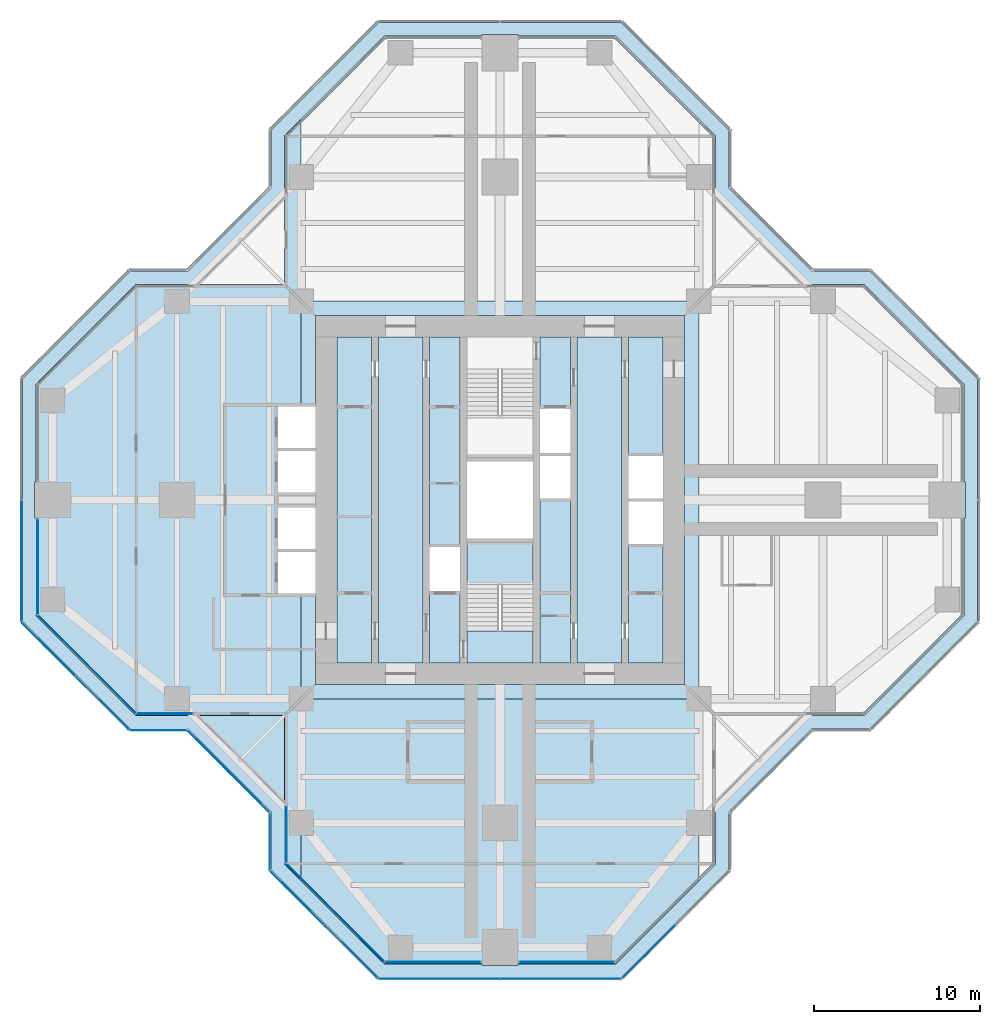
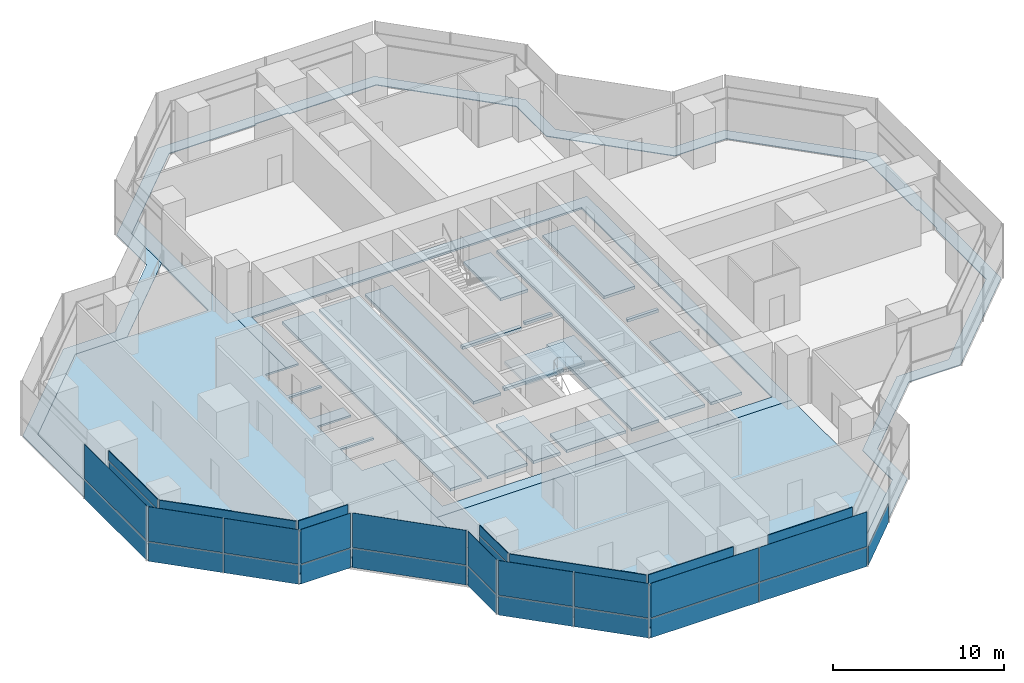
# One storey, part 10 of 17: 36 plates, 7 slabs, 16 elements without a shape of their own.
"""IFC4 building model written with IfcOpenShell, lengths in metres."""

from ifc_helpers import new_model, si_unit, direction, frame, origin, origin_2d, place, context, subcontext, project, spatial, polyline, rectangle, outline, extrude, material, layer, layer_set, type_object, element, aggregate, save


model = new_model("IFC4")

# Units and contexts
model_context = context("Model", 3, precision=1e-05, world=origin(), true_north=direction((0.0, 1.0)))
body_context = subcontext(model_context, "Body", "Model", "MODEL_VIEW")
ifc_project = project(units=[si_unit("LENGTHUNIT", "METRE"), si_unit("AREAUNIT", "SQUARE_METRE"), si_unit("VOLUMEUNIT", "CUBIC_METRE"), si_unit("PLANEANGLEUNIT", "RADIAN"), si_unit("MASSUNIT", "GRAM", prefix="KILO")], contexts=[model_context])

# Site, building, storey
site_placement = place(None, origin())
site = spatial("IfcSite", under=ifc_project, at=site_placement, CompositionType="ELEMENT")
building_placement = place(site_placement, origin())
building = spatial("IfcBuilding", under=site, at=building_placement, Name="Mizan Broadcast Tower", CompositionType="ELEMENT")
storey_placement = place(building_placement, frame((0.0, 0.0, 216.60009765625)))
storey = spatial("IfcBuildingStorey", under=building, at=storey_placement, Name="L50", CompositionType="ELEMENT", Elevation=216.60009765625)

# Plate
ifc_material_1 = material(Name="Aluminium grating", Category="aluminium")
ifc_layer_1 = layer(ifc_material_1, 0.050048828125)
ifc_layer_set_1 = layer_set([ifc_layer_1], Name="Aluminium grating")
plate_type_1 = type_object("IfcPlateType", Name="CAVITY GRATING", PredefinedType="USERDEFINED", material=ifc_layer_set_1)
plate_1_placement = place(storey_placement, frame((0.0, 0.0, -0.050048828125)))
element("IfcPlate", 1, at=plate_1_placement, inside=storey, type_object=plate_type_1, Name="Cavity grating L50", ObjectType="GRATING", PredefinedType="USERDEFINED", context=body_context, shape_type="SweptSolid", body=[
    extrude(outline(polyline([(13.820068359375, -18.839599609375), (18.839599609375, -13.820068359375), (22.339599609375, -13.820068359375), (28.820068359375, -7.339599609375), (28.820068359375, 7.339599609375), (22.339599609375, 13.820068359375), (18.839599609375, 13.820068359375), (13.820068359375, 18.839599609375), (13.820068359375, 22.339599609375), (7.339599609375, 28.820068359375), (-7.339599609375, 28.820068359375), (-13.820068359375, 22.339599609375), (-13.820068359375, 18.839599609375), (-18.839599609375, 13.820068359375), (-22.339599609375, 13.820068359375), (-28.820068359375, 7.339599609375), (-28.820068359375, -7.339599609375), (-22.339599609375, -13.820068359375), (-18.839599609375, -13.820068359375), (-13.820068359375, -18.839599609375), (-13.820068359375, -22.339599609375), (-7.339599609375, -28.820068359375), (7.339599609375, -28.820068359375), (13.820068359375, -22.339599609375), (13.820068359375, -18.839599609375)]), holes=[polyline([(28.0, -1.10009765625), (28.0, -7.0), (22.0, -13.0), (18.5, -13.0), (13.0, -18.5), (13.0, -22.0), (7.0, -28.0), (1.10009765625, -28.0), (1.10009765625, -28.10009765625), (-1.10009765625, -28.10009765625), (-1.10009765625, -28.0), (-7.0, -28.0), (-13.0, -22.0), (-13.0, -18.5), (-18.5, -13.0), (-22.0, -13.0), (-28.0, -7.0), (-28.0, -1.10009765625), (-28.10009765625, -1.10009765625), (-28.10009765625, 1.10009765625), (-28.0, 1.10009765625), (-28.0, 7.0), (-22.0, 13.0), (-18.5, 13.0), (-13.0, 18.5), (-13.0, 22.0), (-7.0, 28.0), (-1.10009765625, 28.0), (-1.10009765625, 28.10009765625), (1.10009765625, 28.10009765625), (1.10009765625, 28.0), (7.0, 28.0), (13.0, 22.0), (13.0, 18.5), (18.5, 13.0), (22.0, 13.0), (28.0, 7.0), (28.0, 1.10009765625), (28.10009765625, 1.10009765625), (28.10009765625, -1.10009765625), (28.0, -1.10009765625)])]), origin(), (0.0, 0.0, 1.0), 0.050048828125),
])

# Slabs
ifc_material_2 = material(Name="Concrete C32/40", Category="concrete")
ifc_layer_2 = layer(ifc_material_2, 0.1298828125)
ifc_layer_set_2 = layer_set([ifc_layer_2], Name="Concrete C32/40")
slab_type_1 = type_object("IfcSlabType", Name="COMPOSITE DECK SLAB 130", PredefinedType="FLOOR", material=ifc_layer_set_2)
slab_1_placement = place(storey_placement, frame((0.0, 0.0, -0.130126953125)))
element("IfcSlab", 2, at=slab_1_placement, inside=storey, type_object=slab_type_1, Name="Floor slab L50 centre", PredefinedType="FLOOR", context=body_context, shape_type="SweptSolid", body=[
    extrude(outline(polyline([(-11.14990234375, -5.64990234375), (-12.0, -5.64990234375), (-12.0, -12.0), (12.0, -12.0), (12.0, 12.0), (-12.0, 12.0), (-12.0, 5.64990234375), (-11.14990234375, 5.64990234375), (-11.14990234375, 11.14990234375), (11.14990234375, 11.14990234375), (11.14990234375, -11.14990234375), (-11.14990234375, -11.14990234375), (-11.14990234375, -5.64990234375)])), origin(), (0.0, 0.0, 1.0), 0.130126953125),
])
slab_2_placement = place(storey_placement, frame((0.0, 0.0, -0.130126953125)))
element("IfcSlab", 3, at=slab_2_placement, inside=storey, type_object=slab_type_1, Name="Floor slab L50 west arm", PredefinedType="FLOOR", context=body_context, shape_type="SweptSolid", body=[
    extrude(outline(polyline([(-22.0, 13.0), (-28.0, 7.0), (-28.0, -7.0), (-22.0, -13.0), (-13.0, -13.0), (-13.0, -22.0), (-12.0, -23.0), (-12.0, -5.64990234375), (-13.39990234375, -5.64990234375), (-13.39990234375, -3.14990234375), (-11.14990234375, -3.14990234375), (-11.14990234375, -2.949951171875), (-13.39990234375, -2.949951171875), (-13.39990234375, -0.449951171875), (-11.14990234375, -0.449951171875), (-11.14990234375, 0.449951171875), (-13.39990234375, 0.449951171875), (-13.39990234375, 2.949951171875), (-11.14990234375, 2.949951171875), (-11.14990234375, 3.14990234375), (-13.39990234375, 3.14990234375), (-13.39990234375, 5.64990234375), (-12.0, 5.64990234375), (-12.0, 23.0), (-13.0, 22.0), (-13.0, 13.0), (-22.0, 13.0)])), origin(), (0.0, 0.0, 1.0), 0.130126953125),
])
slab_3_placement = place(storey_placement, frame((0.0, 0.0, -0.130126953125)))
element("IfcSlab", 4, at=slab_3_placement, inside=storey, type_object=slab_type_1, Name="Floor slab L50 south arm", PredefinedType="FLOOR", context=body_context, shape_type="SweptSolid", body=[
    extrude(outline(polyline([(7.0, -28.0), (12.0, -23.0), (12.0, -12.0), (-12.0, -12.0), (-12.0, -23.0), (-7.0, -28.0), (7.0, -28.0)])), origin(), (0.0, 0.0, 1.0), 0.130126953125),
])
ifc_material_3 = material(Name="Concrete C40/50", Category="concrete")
ifc_layer_3 = layer(ifc_material_3, 0.199951171875)
ifc_layer_set_3 = layer_set([ifc_layer_3], Name="Concrete C40/50")
slab_type_2 = type_object("IfcSlabType", Name="CORE FLOOR 200", PredefinedType="FLOOR", material=ifc_layer_set_3)
slab_4_placement = place(storey_placement, frame((0.0, 0.0, -0.2001953125)))
element("IfcSlab", 5, at=slab_4_placement, inside=storey, type_object=slab_type_2, Name="Core floor L50", PredefinedType="FLOOR", context=body_context, shape_type="SweptSolid", body=[
    extrude(outline(polyline([(-9.85009765625, -9.85009765625), (-7.75, -9.85009765625), (-7.75, 9.85009765625), (-9.85009765625, 9.85009765625), (-9.85009765625, -9.85009765625)])), origin(), (0.0, 0.0, 1.0), 0.2001953125),
    extrude(outline(polyline([(-4.64990234375, 9.85009765625), (-7.35009765625, 9.85009765625), (-7.35009765625, -9.85009765625), (-4.64990234375, -9.85009765625), (-4.64990234375, 9.85009765625)])), origin(), (0.0, 0.0, 1.0), 0.2001953125),
    extrude(outline(polyline([(-4.25, -5.5), (-4.25, -9.85009765625), (-2.39990234375, -9.85009765625), (-2.39990234375, -5.5), (-4.25, -5.5)])), origin(), (0.0, 0.0, 1.0), 0.2001953125),
    extrude(outline(polyline([(-4.25, -2.85009765625), (-2.39990234375, -2.85009765625), (-2.39990234375, 9.85009765625), (-4.25, 9.85009765625), (-4.25, -2.85009765625)])), origin(), (0.0, 0.0, 1.0), 0.2001953125),
    extrude(outline(polyline([(2.0, -2.324951171875), (-2.0, -2.324951171875), (-2.0, -2.574951171875), (2.0, -2.574951171875), (2.0, -2.324951171875)])), origin(), (0.0, 0.0, 1.0), 0.2001953125),
    extrude(outline(polyline([(2.0, 2.574951171875), (-2.0, 2.574951171875), (-2.0, 2.324951171875), (2.0, 2.324951171875), (2.0, 2.574951171875)])), origin(), (0.0, 0.0, 1.0), 0.2001953125),
    extrude(outline(polyline([(4.25, -9.85009765625), (4.25, 0.10009765625), (2.39990234375, 0.10009765625), (2.39990234375, -9.85009765625), (4.25, -9.85009765625)])), origin(), (0.0, 0.0, 1.0), 0.2001953125),
    extrude(outline(polyline([(4.25, 2.64990234375), (4.25, 2.85009765625), (2.39990234375, 2.85009765625), (2.39990234375, 2.64990234375), (4.25, 2.64990234375)])), origin(), (0.0, 0.0, 1.0), 0.2001953125),
    extrude(outline(polyline([(4.25, 5.5), (4.25, 9.85009765625), (2.39990234375, 9.85009765625), (2.39990234375, 5.5), (4.25, 5.5)])), origin(), (0.0, 0.0, 1.0), 0.2001953125),
    extrude(outline(polyline([(4.64990234375, 9.85009765625), (4.64990234375, -9.85009765625), (7.35009765625, -9.85009765625), (7.35009765625, 9.85009765625), (4.64990234375, 9.85009765625)])), origin(), (0.0, 0.0, 1.0), 0.2001953125),
    extrude(outline(polyline([(9.85009765625, -9.85009765625), (9.85009765625, -2.64990234375), (7.75, -2.64990234375), (7.75, -9.85009765625), (9.85009765625, -9.85009765625)])), origin(), (0.0, 0.0, 1.0), 0.2001953125),
    extrude(outline(polyline([(9.85009765625, -0.10009765625), (9.85009765625, 0.10009765625), (7.75, 0.10009765625), (7.75, -0.10009765625), (9.85009765625, -0.10009765625)])), origin(), (0.0, 0.0, 1.0), 0.2001953125),
    extrude(outline(polyline([(7.75, 9.85009765625), (7.75, 2.64990234375), (9.85009765625, 2.64990234375), (9.85009765625, 9.85009765625), (7.75, 9.85009765625)])), origin(), (0.0, 0.0, 1.0), 0.2001953125),
])

# Curtain wall, plate
ifc_material_4 = material(Name="Aluminium framed glazing", Category="aluminium")
curtain_wall_type_1 = type_object("IfcCurtainWallType", Name="INNER SKIN HIGH ZONE", PredefinedType="USERDEFINED", material=ifc_material_4)
curtain_wall_1_placement = place(storey_placement, origin())
curtain_wall_1 = element("IfcCurtainWall", 6, at=curtain_wall_1_placement, inside=storey, type_object=curtain_wall_type_1, Name="Inner skin high zone L50 W end", ObjectType="INNER SKIN HIGH ZONE", PredefinedType="USERDEFINED")
ifc_material_5 = material(Name="Double glazing, clear low-e", Category="glass")
ifc_layer_4 = layer(ifc_material_5, 0.028076171875)
ifc_layer_set_4 = layer_set([ifc_layer_4], Name="Double glazing, clear low-e")
plate_type_2 = type_object("IfcPlateType", Name="INNER SKIN GLAZING UNIT", PredefinedType="CURTAIN_PANEL", material=ifc_layer_set_4)
plate_2_placement = place(storey_placement, frame((-27.89990234375, -4.029296875, 0.0), z_axis=(0.0, 0.0, 1.0), x_axis=(0.0, -1.0, 0.0)))
plate_2 = element("IfcPlate", 7, at=plate_2_placement, type_object=plate_type_2, Name="Inner skin high zone L50 W end panel 1.1", PredefinedType="CURTAIN_PANEL", context=body_context, shape_type="SweptSolid", body=[
    extrude(rectangle(XDim=5.738525390625, YDim=0.028076171875, at=origin_2d()), origin(), (0.0, 0.0, 1.0), 3.0),
])

curtain_wall_2_placement = place(storey_placement, origin())
curtain_wall_2 = element("IfcCurtainWall", 8, at=curtain_wall_2_placement, inside=storey, type_object=curtain_wall_type_1, Name="Inner skin high zone L50 W chamfer", ObjectType="INNER SKIN HIGH ZONE", PredefinedType="USERDEFINED")
plate_3_placement = place(storey_placement, frame((-24.92919921875, -9.92919921875, 0.0), z_axis=(0.0, 0.0, 1.0), x_axis=(0.707106781187, -0.707106781187, 0.0)))
plate_3 = element("IfcPlate", 9, at=plate_3_placement, type_object=plate_type_2, Name="Inner skin high zone L50 W chamfer panel 1.1", PredefinedType="CURTAIN_PANEL", context=body_context, shape_type="SweptSolid", body=[
    extrude(rectangle(XDim=8.282470703125, YDim=0.028076171875, at=origin_2d()), origin(), (0.0, 0.0, 1.0), 3.0),
])

curtain_wall_3_placement = place(storey_placement, origin())
curtain_wall_3 = element("IfcCurtainWall", 10, at=curtain_wall_3_placement, inside=storey, type_object=curtain_wall_type_1, Name="Inner skin high zone L50 W side", ObjectType="INNER SKIN HIGH ZONE", PredefinedType="USERDEFINED")
plate_4_placement = place(storey_placement, frame((-20.229248046875, -12.89990234375, 0.0), z_axis=(0.0, 0.0, 1.0), x_axis=(1.0, 0.0, 0.0)))
plate_4 = element("IfcPlate", 11, at=plate_4_placement, type_object=plate_type_2, Name="Inner skin high zone L50 W side panel 1.1", PredefinedType="CURTAIN_PANEL", context=body_context, shape_type="SweptSolid", body=[
    extrude(rectangle(XDim=3.338623046875, YDim=0.028076171875, at=origin_2d()), origin(), (0.0, 0.0, 1.0), 3.0),
])

curtain_wall_4_placement = place(storey_placement, origin())
curtain_wall_4 = element("IfcCurtainWall", 12, at=curtain_wall_4_placement, inside=storey, type_object=curtain_wall_type_1, Name="Inner skin high zone L50 S side", ObjectType="INNER SKIN HIGH ZONE", PredefinedType="USERDEFINED")
plate_5_placement = place(storey_placement, frame((-12.89990234375, -20.229248046875, 0.0), z_axis=(0.0, 0.0, 1.0), x_axis=(0.0, -1.0, 0.0)))
plate_5 = element("IfcPlate", 13, at=plate_5_placement, type_object=plate_type_2, Name="Inner skin high zone L50 S side panel 1.1", PredefinedType="CURTAIN_PANEL", context=body_context, shape_type="SweptSolid", body=[
    extrude(rectangle(XDim=3.338623046875, YDim=0.028076171875, at=origin_2d()), origin(), (0.0, 0.0, 1.0), 3.0),
])

curtain_wall_5_placement = place(storey_placement, origin())
curtain_wall_5 = element("IfcCurtainWall", 14, at=curtain_wall_5_placement, inside=storey, type_object=curtain_wall_type_1, Name="Inner skin high zone L50 S chamfer", ObjectType="INNER SKIN HIGH ZONE", PredefinedType="USERDEFINED")
plate_6_placement = place(storey_placement, frame((-9.92919921875, -24.92919921875, 0.0), z_axis=(0.0, 0.0, 1.0), x_axis=(0.707106781187, -0.707106781187, 0.0)))
plate_6 = element("IfcPlate", 15, at=plate_6_placement, type_object=plate_type_2, Name="Inner skin high zone L50 S chamfer panel 1.1", PredefinedType="CURTAIN_PANEL", context=body_context, shape_type="SweptSolid", body=[
    extrude(rectangle(XDim=8.282470703125, YDim=0.028076171875, at=origin_2d()), origin(), (0.0, 0.0, 1.0), 3.0),
])

curtain_wall_6_placement = place(storey_placement, origin())
curtain_wall_6 = element("IfcCurtainWall", 16, at=curtain_wall_6_placement, inside=storey, type_object=curtain_wall_type_1, Name="Inner skin high zone L50 S end", ObjectType="INNER SKIN HIGH ZONE", PredefinedType="USERDEFINED")
plate_7_placement = place(storey_placement, frame((-4.029296875, -27.89990234375, 0.0), z_axis=(0.0, 0.0, 1.0), x_axis=(1.0, 0.0, 0.0)))
plate_7 = element("IfcPlate", 17, at=plate_7_placement, type_object=plate_type_2, Name="Inner skin high zone L50 S end panel 1.1", PredefinedType="CURTAIN_PANEL", context=body_context, shape_type="SweptSolid", body=[
    extrude(rectangle(XDim=5.738525390625, YDim=0.028076171875, at=origin_2d()), origin(), (0.0, 0.0, 1.0), 3.0),
])

curtain_wall_7_placement = place(storey_placement, origin())
curtain_wall_7 = element("IfcCurtainWall", 18, at=curtain_wall_7_placement, inside=storey, type_object=curtain_wall_type_1, Name="Inner skin high zone L50 S end", ObjectType="INNER SKIN HIGH ZONE", PredefinedType="USERDEFINED")
plate_8_placement = place(storey_placement, frame((4.029296875, -27.89990234375, 0.0), z_axis=(0.0, 0.0, 1.0), x_axis=(1.0, 0.0, 0.0)))
plate_8 = element("IfcPlate", 19, at=plate_8_placement, type_object=plate_type_2, Name="Inner skin high zone L50 S end panel 1.1", PredefinedType="CURTAIN_PANEL", context=body_context, shape_type="SweptSolid", body=[
    extrude(rectangle(XDim=5.738525390625, YDim=0.028076171875, at=origin_2d()), origin(), (0.0, 0.0, 1.0), 3.0),
])

# Plate
ifc_material_6 = material(Name="Insulated aluminium spandrel panel, pale anodised", Category="aluminium")
ifc_layer_5 = layer(ifc_material_6, 0.050048828125)
ifc_layer_set_5 = layer_set([ifc_layer_5], Name="Insulated aluminium spandrel panel, pale anodised")
plate_type_3 = type_object("IfcPlateType", Name="INNER SKIN SPANDREL PANEL", PredefinedType="CURTAIN_PANEL", material=ifc_layer_set_5)
plate_9_placement = place(storey_placement, frame((-27.89990234375, -4.029296875, 3.059814453125), z_axis=(0.0, 0.0, 1.0), x_axis=(0.0, -1.0, 0.0)))
plate_9 = element("IfcPlate", 20, at=plate_9_placement, type_object=plate_type_3, Name="Inner skin high zone L50 W end panel 1.2", PredefinedType="CURTAIN_PANEL", context=body_context, shape_type="SweptSolid", body=[
    extrude(rectangle(XDim=5.738525390625, YDim=0.050048828125, at=origin_2d()), origin(), (0.0, 0.0, 1.0), 0.7099609375),
])

aggregate(curtain_wall_1, [plate_2, plate_9])

plate_10_placement = place(storey_placement, frame((-24.92919921875, -9.92919921875, 3.059814453125), z_axis=(0.0, 0.0, 1.0), x_axis=(0.707106781187, -0.707106781187, 0.0)))
plate_10 = element("IfcPlate", 21, at=plate_10_placement, type_object=plate_type_3, Name="Inner skin high zone L50 W chamfer panel 1.2", PredefinedType="CURTAIN_PANEL", context=body_context, shape_type="SweptSolid", body=[
    extrude(rectangle(XDim=8.282470703125, YDim=0.050048828125, at=origin_2d()), origin(), (0.0, 0.0, 1.0), 0.7099609375),
])

aggregate(curtain_wall_2, [plate_3, plate_10])

plate_11_placement = place(storey_placement, frame((-20.229248046875, -12.89990234375, 3.059814453125), z_axis=(0.0, 0.0, 1.0), x_axis=(1.0, 0.0, 0.0)))
plate_11 = element("IfcPlate", 22, at=plate_11_placement, type_object=plate_type_3, Name="Inner skin high zone L50 W side panel 1.2", PredefinedType="CURTAIN_PANEL", context=body_context, shape_type="SweptSolid", body=[
    extrude(rectangle(XDim=3.338623046875, YDim=0.050048828125, at=origin_2d()), origin(), (0.0, 0.0, 1.0), 0.7099609375),
])

aggregate(curtain_wall_3, [plate_4, plate_11])

plate_12_placement = place(storey_placement, frame((-12.89990234375, -20.229248046875, 3.059814453125), z_axis=(0.0, 0.0, 1.0), x_axis=(0.0, -1.0, 0.0)))
plate_12 = element("IfcPlate", 23, at=plate_12_placement, type_object=plate_type_3, Name="Inner skin high zone L50 S side panel 1.2", PredefinedType="CURTAIN_PANEL", context=body_context, shape_type="SweptSolid", body=[
    extrude(rectangle(XDim=3.338623046875, YDim=0.050048828125, at=origin_2d()), origin(), (0.0, 0.0, 1.0), 0.7099609375),
])

aggregate(curtain_wall_4, [plate_5, plate_12])

plate_13_placement = place(storey_placement, frame((-9.92919921875, -24.92919921875, 3.059814453125), z_axis=(0.0, 0.0, 1.0), x_axis=(0.707106781187, -0.707106781187, 0.0)))
plate_13 = element("IfcPlate", 24, at=plate_13_placement, type_object=plate_type_3, Name="Inner skin high zone L50 S chamfer panel 1.2", PredefinedType="CURTAIN_PANEL", context=body_context, shape_type="SweptSolid", body=[
    extrude(rectangle(XDim=8.282470703125, YDim=0.050048828125, at=origin_2d()), origin(), (0.0, 0.0, 1.0), 0.7099609375),
])

aggregate(curtain_wall_5, [plate_6, plate_13])

plate_14_placement = place(storey_placement, frame((-4.029296875, -27.89990234375, 3.059814453125), z_axis=(0.0, 0.0, 1.0), x_axis=(1.0, 0.0, 0.0)))
plate_14 = element("IfcPlate", 25, at=plate_14_placement, type_object=plate_type_3, Name="Inner skin high zone L50 S end panel 1.2", PredefinedType="CURTAIN_PANEL", context=body_context, shape_type="SweptSolid", body=[
    extrude(rectangle(XDim=5.738525390625, YDim=0.050048828125, at=origin_2d()), origin(), (0.0, 0.0, 1.0), 0.7099609375),
])

aggregate(curtain_wall_6, [plate_7, plate_14])

plate_15_placement = place(storey_placement, frame((4.029296875, -27.89990234375, 3.059814453125), z_axis=(0.0, 0.0, 1.0), x_axis=(1.0, 0.0, 0.0)))
plate_15 = element("IfcPlate", 26, at=plate_15_placement, type_object=plate_type_3, Name="Inner skin high zone L50 S end panel 1.2", PredefinedType="CURTAIN_PANEL", context=body_context, shape_type="SweptSolid", body=[
    extrude(rectangle(XDim=5.738525390625, YDim=0.050048828125, at=origin_2d()), origin(), (0.0, 0.0, 1.0), 0.7099609375),
])

aggregate(curtain_wall_7, [plate_8, plate_15])

# Curtain wall, plates
ifc_material_7 = material(Name="Aluminium framed glazing", Category="aluminium")
curtain_wall_type_2 = type_object("IfcCurtainWallType", Name="OUTER SKIN", PredefinedType="USERDEFINED", material=ifc_material_7)
curtain_wall_8_placement = place(storey_placement, origin())
curtain_wall_8 = element("IfcCurtainWall", 27, at=curtain_wall_8_placement, inside=storey, type_object=curtain_wall_type_2, Name="Outer skin L50 W chamfer", ObjectType="OUTER SKIN", PredefinedType="USERDEFINED")
ifc_material_8 = material(Name="Laminated clear glass", Category="glass")
ifc_layer_6 = layer(ifc_material_8, 0.02001953125)
ifc_layer_set_6 = layer_set([ifc_layer_6], Name="Laminated clear glass")
plate_type_4 = type_object("IfcPlateType", Name="OUTER SKIN CLEAR GLASS", PredefinedType="CURTAIN_PANEL", material=ifc_layer_set_6)
plate_16_placement = place(storey_placement, frame((-27.254150390625, -9.018798828125, -0.000244140625), z_axis=(0.0, 0.0, 1.0), x_axis=(0.707106781187, -0.707106781187, 0.0)))
plate_16 = element("IfcPlate", 28, at=plate_16_placement, type_object=plate_type_4, Name="Outer skin L50 W chamfer panel 1.1", PredefinedType="CURTAIN_PANEL", context=body_context, shape_type="SweptSolid", body=[
    extrude(rectangle(XDim=4.495361328125, YDim=0.02001953125, at=origin_2d()), origin(), (0.0, 0.0, 1.0), 1.3701171875),
])
plate_17_placement = place(storey_placement, frame((-27.254150390625, -9.018798828125, 1.4296875), z_axis=(0.0, 0.0, 1.0), x_axis=(0.707106781187, -0.707106781187, 0.0)))
plate_17 = element("IfcPlate", 29, at=plate_17_placement, type_object=plate_type_4, Name="Outer skin L50 W chamfer panel 1.2", PredefinedType="CURTAIN_PANEL", context=body_context, shape_type="SweptSolid", body=[
    extrude(rectangle(XDim=4.495361328125, YDim=0.02001953125, at=origin_2d()), origin(), (0.0, 0.0, 1.0), 2.469970703125),
])

curtain_wall_9_placement = place(storey_placement, origin())
curtain_wall_9 = element("IfcCurtainWall", 30, at=curtain_wall_9_placement, inside=storey, type_object=curtain_wall_type_2, Name="Outer skin L50 W side", ObjectType="OUTER SKIN", PredefinedType="USERDEFINED")
plate_18_placement = place(storey_placement, frame((-20.622802734375, -13.89990234375, -0.000244140625), z_axis=(0.0, 0.0, 1.0), x_axis=(1.0, 0.0, 0.0)))
plate_18 = element("IfcPlate", 31, at=plate_18_placement, type_object=plate_type_4, Name="Outer skin L50 W side panel 1.1", PredefinedType="CURTAIN_PANEL", context=body_context, shape_type="SweptSolid", body=[
    extrude(rectangle(XDim=3.340087890625, YDim=0.02001953125, at=origin_2d()), origin(), (0.0, 0.0, 1.0), 1.3701171875),
])
plate_19_placement = place(storey_placement, frame((-20.622802734375, -13.89990234375, 1.4296875), z_axis=(0.0, 0.0, 1.0), x_axis=(1.0, 0.0, 0.0)))
plate_19 = element("IfcPlate", 32, at=plate_19_placement, type_object=plate_type_4, Name="Outer skin L50 W side panel 1.2", PredefinedType="CURTAIN_PANEL", context=body_context, shape_type="SweptSolid", body=[
    extrude(rectangle(XDim=3.340087890625, YDim=0.02001953125, at=origin_2d()), origin(), (0.0, 0.0, 1.0), 2.469970703125),
])
aggregate(curtain_wall_9, [plate_18, plate_19])

curtain_wall_10_placement = place(storey_placement, origin())
curtain_wall_10 = element("IfcCurtainWall", 33, at=curtain_wall_10_placement, inside=storey, type_object=curtain_wall_type_2, Name="Outer skin L50 W chamfer", ObjectType="OUTER SKIN", PredefinedType="USERDEFINED")
plate_20_placement = place(storey_placement, frame((-16.386474609375, -16.386474609375, -0.000244140625), z_axis=(0.0, 0.0, 1.0), x_axis=(0.707106781187, -0.707106781187, 0.0)))
plate_20 = element("IfcPlate", 34, at=plate_20_placement, type_object=plate_type_4, Name="Outer skin L50 W chamfer panel 1.1", PredefinedType="CURTAIN_PANEL", context=body_context, shape_type="SweptSolid", body=[
    extrude(rectangle(XDim=6.87255859375, YDim=0.02001953125, at=origin_2d()), origin(), (0.0, 0.0, 1.0), 1.3701171875),
])
plate_21_placement = place(storey_placement, frame((-16.386474609375, -16.386474609375, 1.4296875), z_axis=(0.0, 0.0, 1.0), x_axis=(0.707106781187, -0.707106781187, 0.0)))
plate_21 = element("IfcPlate", 35, at=plate_21_placement, type_object=plate_type_4, Name="Outer skin L50 W chamfer panel 1.2", PredefinedType="CURTAIN_PANEL", context=body_context, shape_type="SweptSolid", body=[
    extrude(rectangle(XDim=6.87255859375, YDim=0.02001953125, at=origin_2d()), origin(), (0.0, 0.0, 1.0), 2.469970703125),
])
aggregate(curtain_wall_10, [plate_20, plate_21])

curtain_wall_11_placement = place(storey_placement, origin())
curtain_wall_11 = element("IfcCurtainWall", 36, at=curtain_wall_11_placement, inside=storey, type_object=curtain_wall_type_2, Name="Outer skin L50 S side", ObjectType="OUTER SKIN", PredefinedType="USERDEFINED")
plate_22_placement = place(storey_placement, frame((-13.89990234375, -20.622802734375, -0.000244140625), z_axis=(0.0, 0.0, 1.0), x_axis=(0.0, -1.0, 0.0)))
plate_22 = element("IfcPlate", 37, at=plate_22_placement, type_object=plate_type_4, Name="Outer skin L50 S side panel 1.1", PredefinedType="CURTAIN_PANEL", context=body_context, shape_type="SweptSolid", body=[
    extrude(rectangle(XDim=3.340087890625, YDim=0.02001953125, at=origin_2d()), origin(), (0.0, 0.0, 1.0), 1.3701171875),
])
plate_23_placement = place(storey_placement, frame((-13.89990234375, -20.622802734375, 1.4296875), z_axis=(0.0, 0.0, 1.0), x_axis=(0.0, -1.0, 0.0)))
plate_23 = element("IfcPlate", 38, at=plate_23_placement, type_object=plate_type_4, Name="Outer skin L50 S side panel 1.2", PredefinedType="CURTAIN_PANEL", context=body_context, shape_type="SweptSolid", body=[
    extrude(rectangle(XDim=3.340087890625, YDim=0.02001953125, at=origin_2d()), origin(), (0.0, 0.0, 1.0), 2.469970703125),
])
aggregate(curtain_wall_11, [plate_22, plate_23])

curtain_wall_12_placement = place(storey_placement, origin())
curtain_wall_12 = element("IfcCurtainWall", 39, at=curtain_wall_12_placement, inside=storey, type_object=curtain_wall_type_2, Name="Outer skin L50 S chamfer", ObjectType="OUTER SKIN", PredefinedType="USERDEFINED")
plate_24_placement = place(storey_placement, frame((-12.254150390625, -24.018798828125, -0.000244140625), z_axis=(0.0, 0.0, 1.0), x_axis=(0.707106781187, -0.707106781187, 0.0)))
plate_24 = element("IfcPlate", 40, at=plate_24_placement, type_object=plate_type_4, Name="Outer skin L50 S chamfer panel 1.1", PredefinedType="CURTAIN_PANEL", context=body_context, shape_type="SweptSolid", body=[
    extrude(rectangle(XDim=4.495361328125, YDim=0.02001953125, at=origin_2d()), origin(), (0.0, 0.0, 1.0), 1.3701171875),
])
plate_25_placement = place(storey_placement, frame((-12.254150390625, -24.018798828125, 1.4296875), z_axis=(0.0, 0.0, 1.0), x_axis=(0.707106781187, -0.707106781187, 0.0)))
plate_25 = element("IfcPlate", 41, at=plate_25_placement, type_object=plate_type_4, Name="Outer skin L50 S chamfer panel 1.2", PredefinedType="CURTAIN_PANEL", context=body_context, shape_type="SweptSolid", body=[
    extrude(rectangle(XDim=4.495361328125, YDim=0.02001953125, at=origin_2d()), origin(), (0.0, 0.0, 1.0), 2.469970703125),
])

curtain_wall_13_placement = place(storey_placement, origin())
curtain_wall_13 = element("IfcCurtainWall", 42, at=curtain_wall_13_placement, inside=storey, type_object=curtain_wall_type_2, Name="Outer skin L50 S end", ObjectType="OUTER SKIN", PredefinedType="USERDEFINED")
plate_26_placement = place(storey_placement, frame((-3.66650390625, -28.89990234375, -0.000244140625), z_axis=(0.0, 0.0, 1.0), x_axis=(1.0, 0.0, 0.0)))
plate_26 = element("IfcPlate", 43, at=plate_26_placement, type_object=plate_type_4, Name="Outer skin L50 S end panel 1.1", PredefinedType="CURTAIN_PANEL", context=body_context, shape_type="SweptSolid", body=[
    extrude(rectangle(XDim=7.252685546875, YDim=0.02001953125, at=origin_2d()), origin(), (0.0, 0.0, 1.0), 1.3701171875),
])
plate_27_placement = place(storey_placement, frame((-3.66650390625, -28.89990234375, 1.4296875), z_axis=(0.0, 0.0, 1.0), x_axis=(1.0, 0.0, 0.0)))
plate_27 = element("IfcPlate", 44, at=plate_27_placement, type_object=plate_type_4, Name="Outer skin L50 S end panel 1.2", PredefinedType="CURTAIN_PANEL", context=body_context, shape_type="SweptSolid", body=[
    extrude(rectangle(XDim=7.252685546875, YDim=0.02001953125, at=origin_2d()), origin(), (0.0, 0.0, 1.0), 2.469970703125),
])

# Curtain wall, plate
curtain_wall_14_placement = place(storey_placement, origin())
curtain_wall_14 = element("IfcCurtainWall", 45, at=curtain_wall_14_placement, inside=storey, type_object=curtain_wall_type_2, Name="Outer skin L50 S chamfer", ObjectType="OUTER SKIN", PredefinedType="USERDEFINED")
plate_28_placement = place(storey_placement, frame((9.018798828125, -27.254150390625, -0.000244140625), z_axis=(0.0, 0.0, 1.0), x_axis=(0.707106781187, 0.707106781187, 0.0)))
plate_28 = element("IfcPlate", 46, at=plate_28_placement, type_object=plate_type_4, Name="Outer skin L50 S chamfer panel 1.1", PredefinedType="CURTAIN_PANEL", context=body_context, shape_type="SweptSolid", body=[
    extrude(rectangle(XDim=4.495361328125, YDim=0.02001953125, at=origin_2d()), origin(), (0.0, 0.0, 1.0), 1.3701171875),
])
aggregate(curtain_wall_14, [plate_28])

# Curtain wall, plates
curtain_wall_15_placement = place(storey_placement, origin())
curtain_wall_15 = element("IfcCurtainWall", 47, at=curtain_wall_15_placement, inside=storey, type_object=curtain_wall_type_2, Name="Outer skin L50 W end", ObjectType="OUTER SKIN", PredefinedType="USERDEFINED")
ifc_material_9 = material(Name="Perforated aluminium, pale anodised", Category="aluminium")
ifc_layer_7 = layer(ifc_material_9, 0.011962890625)
ifc_layer_set_7 = layer_set([ifc_layer_7], Name="Perforated aluminium, pale anodised")
plate_type_5 = type_object("IfcPlateType", Name="OUTER SKIN PERFORATED SCREEN", PredefinedType="USERDEFINED", material=ifc_layer_set_7)
plate_29_placement = place(storey_placement, frame((-28.89990234375, -3.66650390625, -0.000244140625), z_axis=(0.0, 0.0, 1.0), x_axis=(0.0, -1.0, 0.0)))
plate_29 = element("IfcPlate", 48, at=plate_29_placement, type_object=plate_type_5, Name="Outer skin L50 W end panel 2.1", ObjectType="SCREEN", PredefinedType="USERDEFINED", context=body_context, shape_type="SweptSolid", body=[
    extrude(rectangle(XDim=7.252685546875, YDim=0.011962890625, at=origin_2d()), origin(), (0.0, 0.0, 1.0), 1.3701171875),
])
plate_30_placement = place(storey_placement, frame((-28.89990234375, -3.66650390625, 1.4296875), z_axis=(0.0, 0.0, 1.0), x_axis=(0.0, -1.0, 0.0)))
plate_30 = element("IfcPlate", 49, at=plate_30_placement, type_object=plate_type_5, Name="Outer skin L50 W end panel 2.2", ObjectType="SCREEN", PredefinedType="USERDEFINED", context=body_context, shape_type="SweptSolid", body=[
    extrude(rectangle(XDim=7.252685546875, YDim=0.011962890625, at=origin_2d()), origin(), (0.0, 0.0, 1.0), 2.469970703125),
])
aggregate(curtain_wall_15, [plate_29, plate_30])

# Plate
plate_31_placement = place(storey_placement, frame((-24.018798828125, -12.254150390625, -0.000244140625), z_axis=(0.0, 0.0, 1.0), x_axis=(0.707106781187, -0.707106781187, 0.0)))
plate_31 = element("IfcPlate", 50, at=plate_31_placement, type_object=plate_type_5, Name="Outer skin L50 W chamfer panel 2.1", ObjectType="SCREEN", PredefinedType="USERDEFINED", context=body_context, shape_type="SweptSolid", body=[
    extrude(rectangle(XDim=4.495361328125, YDim=0.011962890625, at=origin_2d()), origin(), (0.0, 0.0, 1.0), 1.3701171875),
])

plate_32_placement = place(storey_placement, frame((-24.018798828125, -12.254150390625, 1.4296875), z_axis=(0.0, 0.0, 1.0), x_axis=(0.707106781187, -0.707106781187, 0.0)))
plate_32 = element("IfcPlate", 51, at=plate_32_placement, type_object=plate_type_5, Name="Outer skin L50 W chamfer panel 2.2", ObjectType="SCREEN", PredefinedType="USERDEFINED", context=body_context, shape_type="SweptSolid", body=[
    extrude(rectangle(XDim=4.495361328125, YDim=0.011962890625, at=origin_2d()), origin(), (0.0, 0.0, 1.0), 2.469970703125),
])

aggregate(curtain_wall_8, [plate_16, plate_17, plate_31, plate_32])

plate_33_placement = place(storey_placement, frame((-9.018798828125, -27.254150390625, -0.000244140625), z_axis=(0.0, 0.0, 1.0), x_axis=(0.707106781187, -0.707106781187, 0.0)))
plate_33 = element("IfcPlate", 52, at=plate_33_placement, type_object=plate_type_5, Name="Outer skin L50 S chamfer panel 2.1", ObjectType="SCREEN", PredefinedType="USERDEFINED", context=body_context, shape_type="SweptSolid", body=[
    extrude(rectangle(XDim=4.495361328125, YDim=0.011962890625, at=origin_2d()), origin(), (0.0, 0.0, 1.0), 1.3701171875),
])

plate_34_placement = place(storey_placement, frame((-9.018798828125, -27.254150390625, 1.4296875), z_axis=(0.0, 0.0, 1.0), x_axis=(0.707106781187, -0.707106781187, 0.0)))
plate_34 = element("IfcPlate", 53, at=plate_34_placement, type_object=plate_type_5, Name="Outer skin L50 S chamfer panel 2.2", ObjectType="SCREEN", PredefinedType="USERDEFINED", context=body_context, shape_type="SweptSolid", body=[
    extrude(rectangle(XDim=4.495361328125, YDim=0.011962890625, at=origin_2d()), origin(), (0.0, 0.0, 1.0), 2.469970703125),
])

aggregate(curtain_wall_12, [plate_24, plate_25, plate_33, plate_34])

plate_35_placement = place(storey_placement, frame((3.66650390625, -28.89990234375, -0.000244140625), z_axis=(0.0, 0.0, 1.0), x_axis=(1.0, 0.0, 0.0)))
plate_35 = element("IfcPlate", 54, at=plate_35_placement, type_object=plate_type_5, Name="Outer skin L50 S end panel 2.1", ObjectType="SCREEN", PredefinedType="USERDEFINED", context=body_context, shape_type="SweptSolid", body=[
    extrude(rectangle(XDim=7.252685546875, YDim=0.011962890625, at=origin_2d()), origin(), (0.0, 0.0, 1.0), 1.3701171875),
])

plate_36_placement = place(storey_placement, frame((3.66650390625, -28.89990234375, 1.4296875), z_axis=(0.0, 0.0, 1.0), x_axis=(1.0, 0.0, 0.0)))
plate_36 = element("IfcPlate", 55, at=plate_36_placement, type_object=plate_type_5, Name="Outer skin L50 S end panel 2.2", ObjectType="SCREEN", PredefinedType="USERDEFINED", context=body_context, shape_type="SweptSolid", body=[
    extrude(rectangle(XDim=7.252685546875, YDim=0.011962890625, at=origin_2d()), origin(), (0.0, 0.0, 1.0), 2.469970703125),
])

aggregate(curtain_wall_13, [plate_26, plate_27, plate_35, plate_36])

# Stair, slabs
ifc_material_10 = material(Name="Concrete C40/50", Category="concrete")
stair_type = type_object("IfcStairType", Name="EXIT STAIR", PredefinedType="HALF_TURN_STAIR", material=ifc_material_10)
stair_placement = place(storey_placement, origin())
stair = element("IfcStair", 56, at=stair_placement, inside=storey, type_object=stair_type, Name="Stair A L50", PredefinedType="HALF_TURN_STAIR")
ifc_material_11 = material(Name="Concrete C40/50", Category="concrete")
ifc_layer_8 = layer(ifc_material_11, 0.199951171875)
ifc_layer_set_8 = layer_set([ifc_layer_8], Name="Concrete C40/50")
slab_type_3 = type_object("IfcSlabType", Name="STAIR LANDING 200", PredefinedType="LANDING", material=ifc_layer_set_8)
slab_5_placement = place(storey_placement, frame((0.0, 0.0, -0.2001953125)))
slab_5 = element("IfcSlab", 57, at=slab_5_placement, type_object=slab_type_3, Name="A landing 1", PredefinedType="LANDING", context=body_context, shape_type="SweptSolid", body=[
    extrude(outline(polyline([(-2.0, -9.85009765625), (-2.0, -7.89990234375), (2.0, -7.89990234375), (2.0, -9.85009765625), (-2.0, -9.85009765625)])), origin(), (0.0, 0.0, 1.0), 0.2001953125),
])
slab_6_placement = place(storey_placement, frame((0.0, 0.0, 1.75)))
slab_6 = element("IfcSlab", 58, at=slab_6_placement, type_object=slab_type_3, Name="A landing 2", PredefinedType="LANDING", context=body_context, shape_type="SweptSolid", body=[
    extrude(outline(polyline([(-2.0, -5.10009765625), (-2.0, -2.574951171875), (2.0, -2.574951171875), (2.0, -5.10009765625), (-2.0, -5.10009765625)])), origin(), (0.0, 0.0, 1.0), 0.199951171875),
])
aggregate(stair, [slab_5, slab_6])

# Slab
ifc_material_12 = material(Name="Concrete C32/40", Category="concrete")
ifc_layer_9 = layer(ifc_material_12, 0.1298828125)
ifc_layer_set_9 = layer_set([ifc_layer_9], Name="Concrete C32/40")
slab_type_4 = type_object("IfcSlabType", Name="WINTER GARDEN SLAB 130", PredefinedType="FLOOR", material=ifc_layer_set_9)
slab_7_placement = place(storey_placement, frame((0.0, 0.0, -0.130126953125)))
element("IfcSlab", 59, at=slab_7_placement, inside=storey, type_object=slab_type_4, Name="Winter garden slab L50 W", PredefinedType="FLOOR", context=body_context, shape_type="SweptSolid", body=[
    extrude(outline(polyline([(-13.0, -13.0), (-18.5, -13.0), (-13.0, -18.5), (-13.0, -13.0)])), origin(), (0.0, 0.0, 1.0), 0.130126953125),
])

save(model, "model.ifc")
